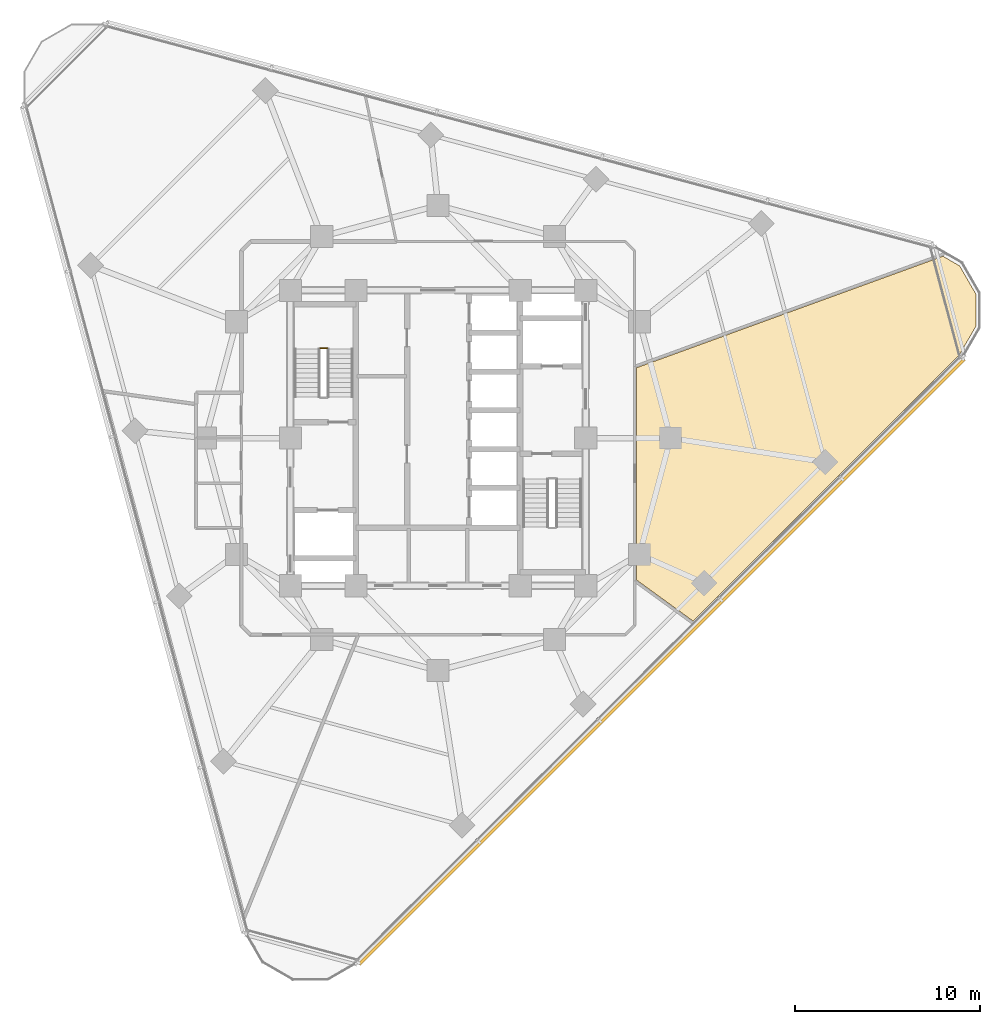
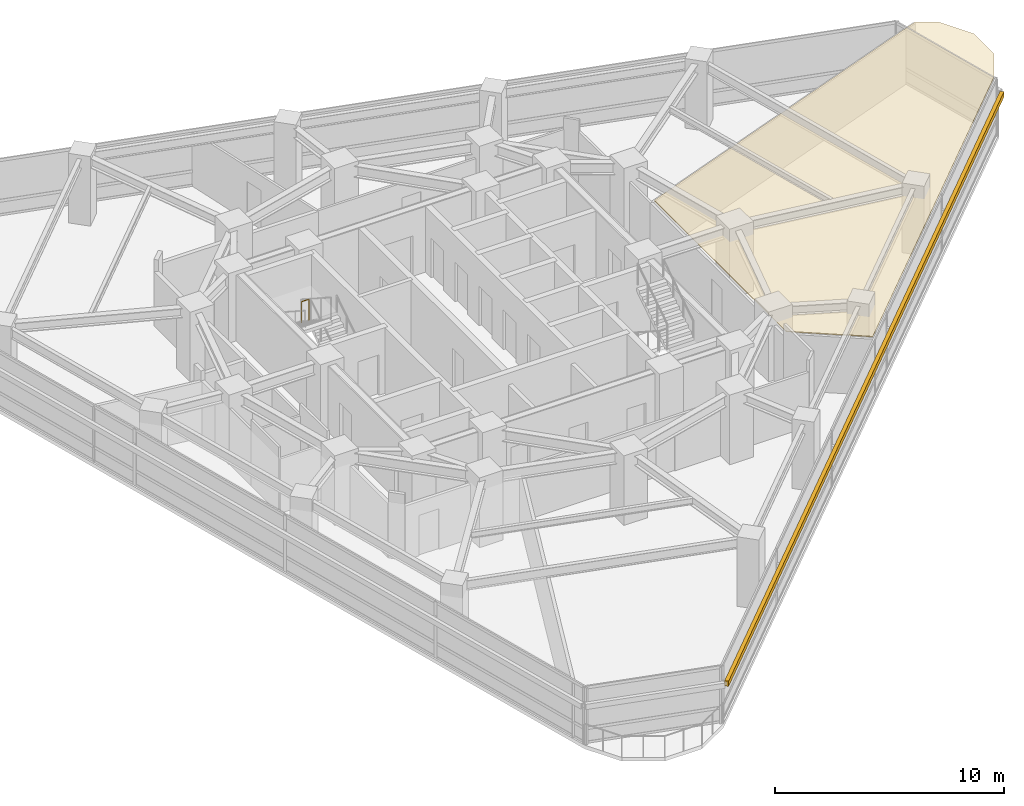
# One storey, part 12 of 13: 1 covering, 1 railing, 1 shading device.
"""IFC4 building model written with IfcOpenShell, lengths in metres."""

from ifc_helpers import new_model, si_unit, direction, frame, origin, origin_2d, place, context, subcontext, project, spatial, polyline, rectangle, circle, outline, extrude, material, layer, layer_set, type_object, element, save


model = new_model("IFC4")

# Units and contexts
model_context = context("Model", 3, precision=1e-05, world=origin(), true_north=direction((0.0, 1.0)))
body_context = subcontext(model_context, "Body", "Model", "MODEL_VIEW")
ifc_project = project(units=[si_unit("LENGTHUNIT", "METRE"), si_unit("AREAUNIT", "SQUARE_METRE"), si_unit("VOLUMEUNIT", "CUBIC_METRE"), si_unit("PLANEANGLEUNIT", "RADIAN"), si_unit("MASSUNIT", "GRAM", prefix="KILO")], contexts=[model_context])

# Site, building, storey
site_placement = place(None, origin())
site = spatial("IfcSite", under=ifc_project, at=site_placement, CompositionType="ELEMENT")
building_placement = place(site_placement, origin())
building = spatial("IfcBuilding", under=site, at=building_placement, Name="Terralouvre Media Tower", CompositionType="ELEMENT")
storey_placement = place(building_placement, frame((0.0, 0.0, 202.699951171875)))
storey = spatial("IfcBuildingStorey", under=building, at=storey_placement, Name="L52", CompositionType="ELEMENT", Elevation=202.699951171875)

# Covering
ifc_material_1 = material(Name="Perforated aluminium acoustic ceiling baffle", Category="aluminium")
ifc_layer_1 = layer(ifc_material_1, 0.0400390625, Name="Perforated Acoustic Metal Tile Ceiling CL-AC1")
ifc_layer_set_1 = layer_set([ifc_layer_1], Name="Perforated aluminium acoustic ceiling baffle")
covering_type = type_object("IfcCoveringType", Name="Perforated Acoustic Metal Tile Ceiling CL-AC1", PredefinedType="CEILING", material=ifc_layer_set_1)
covering_placement = place(storey_placement, frame((0.0, 0.0, 2.97998046875), z_axis=(0.0, 0.0, 1.0), x_axis=(0.707106781187, 0.707106781187, 0.0)))
element("IfcCovering", 1, at=covering_placement, inside=storey, type_object=covering_type, Name="L52 Foreign Press Reading Study 3 Acoustic Ceiling", PredefinedType="CEILING", context=body_context, shape_type="SweptSolid", body=[
    extrude(outline(polyline([(2.165771484375, -13.036865234375), (2.759765625, -16.782958984375), (23.15087890625, -16.78369140625), (24.87646484375, -16.32080078125), (26.117919921875, -15.07958984375), (26.572021484375, -13.38330078125), (26.302490234375, -12.375244140625), (10.292724609375, -4.91015625), (2.165771484375, -13.036865234375)])), origin(), (0.0, 0.0, 1.0), 0.0400390625),
])

# Railing
ifc_material_2 = material(Name="Stainless steel 316 handrail and balustrade", Category="steel")
ifc_layer_2 = layer(ifc_material_2, 0.050048828125, Name="Stairwell Safety Guardrail GR-INT1")
ifc_layer_set_2 = layer_set([ifc_layer_2], Name="Stainless steel 316 handrail and balustrade")
railing_type = type_object("IfcRailingType", Name="Stairwell Safety Guardrail GR-INT1", PredefinedType="GUARDRAIL", material=ifc_layer_set_2)
railing_placement = place(storey_placement, frame((-6.0, 4.8701171875, 1.85009765625)))
element("IfcRailing", 2, at=railing_placement, inside=storey, type_object=railing_type, Name="L52 ST-01 stair guard 2", PredefinedType="GUARDRAIL", context=body_context, shape_type="SweptSolid", body=[
    extrude(circle(Radius=0.02392578125, at=origin_2d()), frame((0.0, 0.0, 1.1259765625), z_axis=(-1.0, 0.0, 0.0), x_axis=(0.0, -1.0, 0.0)), (0.0, 0.0, 1.0), 0.3798828125),
    extrude(circle(Radius=0.02099609375, at=origin_2d()), origin(), (0.0, 0.0, 1.0), 1.101806640625),
    extrude(circle(Radius=0.02099609375, at=origin_2d()), frame((-0.3798828125, 0.0, 0.0)), (0.0, 0.0, 1.0), 1.101806640625),
])

# Shading device
ifc_material_3 = material(Name="Extruded terracotta baguette sunshade louvres", Category="masonry")
shading_device_type = type_object("IfcShadingDeviceType", Name="Terracotta Baguette Sunshade Louvre Screen TB-LV1", PredefinedType="USERDEFINED", material=ifc_material_3)
shading_device_placement = place(storey_placement, frame((12.121826171875, -12.121826171875, 2.02392578125), z_axis=(0.0, 0.0, 1.0), x_axis=(0.707106781187, 0.707106781187, 0.0)))
element("IfcShadingDevice", 3, at=shading_device_placement, inside=storey, type_object=shading_device_type, Name="CW-L52-F0 Terracotta Baguette Sunshade Louvre", ObjectType="BAGUETTE", PredefinedType="USERDEFINED", context=body_context, shape_type="SweptSolid", body=[
    extrude(rectangle(XDim=46.360107421875, YDim=0.179931640625, at=origin_2d()), origin(), (0.0, 0.0, 1.0), 0.280029296875),
])

save(model, "model.ifc")
